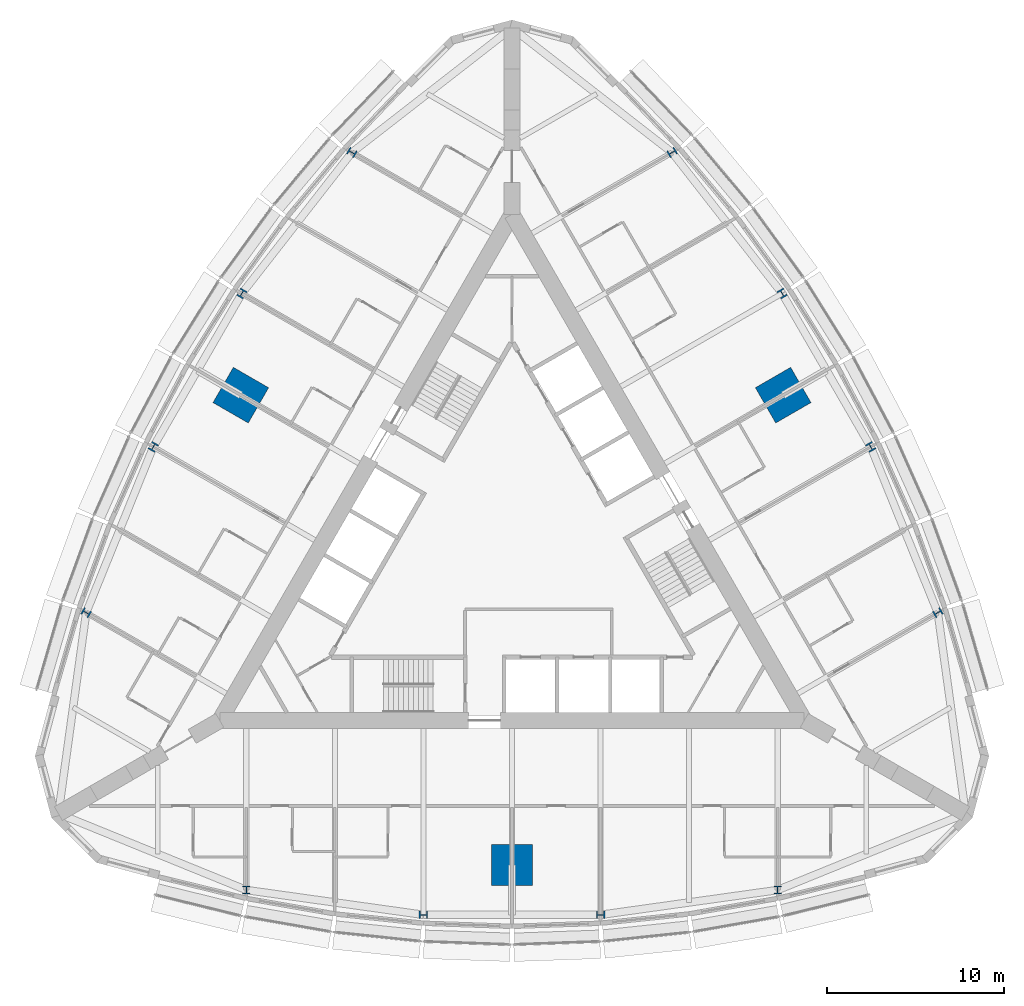
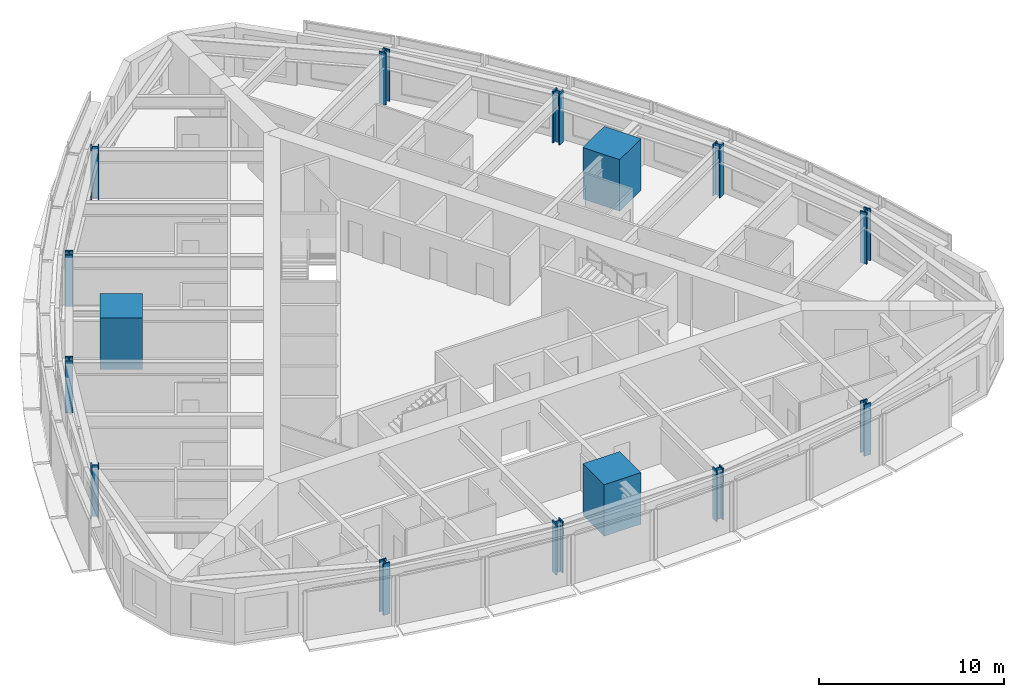
# One storey, part 1 of 14: 15 columns.
"""IFC4 building model written with IfcOpenShell, lengths in metres."""

from ifc_helpers import new_model, si_unit, direction, frame, origin, origin_2d, place, context, subcontext, project, spatial, rectangle, i_section, extrude, material, material_profile, profile_set, type_object, element, save


model = new_model("IFC4")

# Units and contexts
model_context = context("Model", 3, precision=1e-05, world=origin(), true_north=direction((0.0, 1.0)))
body_context = subcontext(model_context, "Body", "Model", "MODEL_VIEW")
ifc_project = project(units=[si_unit("LENGTHUNIT", "METRE"), si_unit("AREAUNIT", "SQUARE_METRE"), si_unit("VOLUMEUNIT", "CUBIC_METRE"), si_unit("PLANEANGLEUNIT", "RADIAN"), si_unit("MASSUNIT", "GRAM", prefix="KILO")], contexts=[model_context])

# Site, building, storey
site_placement = place(None, origin())
site = spatial("IfcSite", under=ifc_project, at=site_placement, CompositionType="ELEMENT")
building_placement = place(site_placement, origin())
building = spatial("IfcBuilding", under=site, at=building_placement, Name="Trikona Tower", CompositionType="ELEMENT")
storey_placement = place(building_placement, frame((0.0, 0.0, 175.89990234375)))
storey = spatial("IfcBuildingStorey", under=building, at=storey_placement, Name="L47", CompositionType="ELEMENT", Elevation=175.89990234375)

# Columns
ifc_material_1 = material(Name="Concrete f'c 10000 psi with encased steel section", Category="concrete")
ifc_material_profile_1 = material_profile(ifc_material_1, rectangle(XDim=2.300048828125, YDim=2.300048828125, at=origin_2d()), Name="MC2300")
ifc_profile_set_1 = profile_set([ifc_material_profile_1], Name="Concrete f'c 10000 psi with encased steel section")
column_type_1 = type_object("IfcColumnType", Name="Composite mega column 2300x2300", PredefinedType="COLUMN", material=ifc_profile_set_1)
for number, where, z_axis, x_axis, name in (
    (1, (0.0, -17.680419921875, 0.0), (0.0, 0.0, 1.0), (0.0, -1.0, 0.0), "Mega column MC1"),
    (2, (15.311767578125, 8.84033203125, 0.0), (0.0, 0.0, 1.0), (0.866025403784, 0.5, 0.0), "Mega column MC2"),
    (3, (-15.311767578125, 8.84033203125, 0.0), (0.0, 0.0, 1.0), (-0.866025403784, 0.5, 0.0), "Mega column MC3"),
):
    element("IfcColumn", number, at=place(storey_placement, frame(where, z_axis=z_axis, x_axis=x_axis)), inside=storey, type_object=column_type_1, Name=name, PredefinedType="COLUMN", context=body_context, shape_type="SweptSolid", body=[
        extrude(rectangle(XDim=2.300048828125, YDim=2.300048828125, at=origin_2d()), origin(), (0.0, 0.0, 1.0), 3.400146484375),
    ])
ifc_material_2 = material(Name="Steel ASTM A992 Grade 50", Category="steel")
ifc_material_profile_2 = material_profile(ifc_material_2, i_section(OverallWidth=0.424072265625, OverallDepth=0.47509765625, WebThickness=0.0478515625, FlangeThickness=0.0771484375, at=origin_2d()), Name="W14X426")
ifc_profile_set_2 = profile_set([ifc_material_profile_2], Name="Steel ASTM A992 Grade 50")
column_type_2 = type_object("IfcColumnType", Name="Steel column W14x426", PredefinedType="COLUMN", material=ifc_profile_set_2)
for number, where, z_axis, x_axis, name in (
    (4, (-15.0, -19.10009765625, 0.0), (0.0, 0.0, 1.0), (1.0, 0.0, 0.0), "Column F0m15"),
    (5, (-5.0, -20.500244140625, 0.0), (0.0, 0.0, 1.0), (0.0, -1.0, 0.0), "Column F0m5"),
    (6, (5.0, -20.500244140625, 0.0), (0.0, 0.0, 1.0), (0.0, -1.0, 0.0), "Column F0p5"),
    (7, (15.0, -19.10009765625, 0.0), (0.0, 0.0, 1.0), (1.0, 0.0, 0.0), "Column F0p15"),
    (8, (24.041259765625, -3.440185546875, 0.0), (0.0, 0.0, 1.0), (-0.5, 0.866025403784, 0.0), "Column F1m15"),
    (9, (20.253662109375, 5.919921875, 0.0), (0.0, 0.0, 1.0), (0.866025403784, 0.5, 0.0), "Column F1m5"),
    (10, (15.253662109375, 14.580078125, 0.0), (0.0, 0.0, 1.0), (0.866025403784, 0.5, 0.0), "Column F1p5"),
    (11, (9.041259765625, 22.54052734375, 0.0), (0.0, 0.0, 1.0), (-0.5, 0.866025403784, 0.0), "Column F1p15"),
    (12, (-9.041259765625, 22.54052734375, 0.0), (0.0, 0.0, 1.0), (-0.5, -0.866025403784, 0.0), "Column F2m15"),
    (13, (-15.253662109375, 14.580078125, 0.0), (0.0, 0.0, 1.0), (-0.866025403784, 0.5, 0.0), "Column F2m5"),
    (14, (-20.253662109375, 5.919921875, 0.0), (0.0, 0.0, 1.0), (-0.866025403784, 0.5, 0.0), "Column F2p5"),
    (15, (-24.041259765625, -3.440185546875, 0.0), (0.0, 0.0, 1.0), (-0.5, -0.866025403784, 0.0), "Column F2p15"),
):
    element("IfcColumn", number, at=place(storey_placement, frame(where, z_axis=z_axis, x_axis=x_axis)), inside=storey, type_object=column_type_2, Name=name, PredefinedType="COLUMN", context=body_context, shape_type="SweptSolid", body=[
        extrude(i_section(OverallWidth=0.424072265625, OverallDepth=0.47509765625, WebThickness=0.0478515625, FlangeThickness=0.0771484375, at=origin_2d()), origin(), (0.0, 0.0, 1.0), 3.400146484375),
    ])

save(model, "model.ifc")
